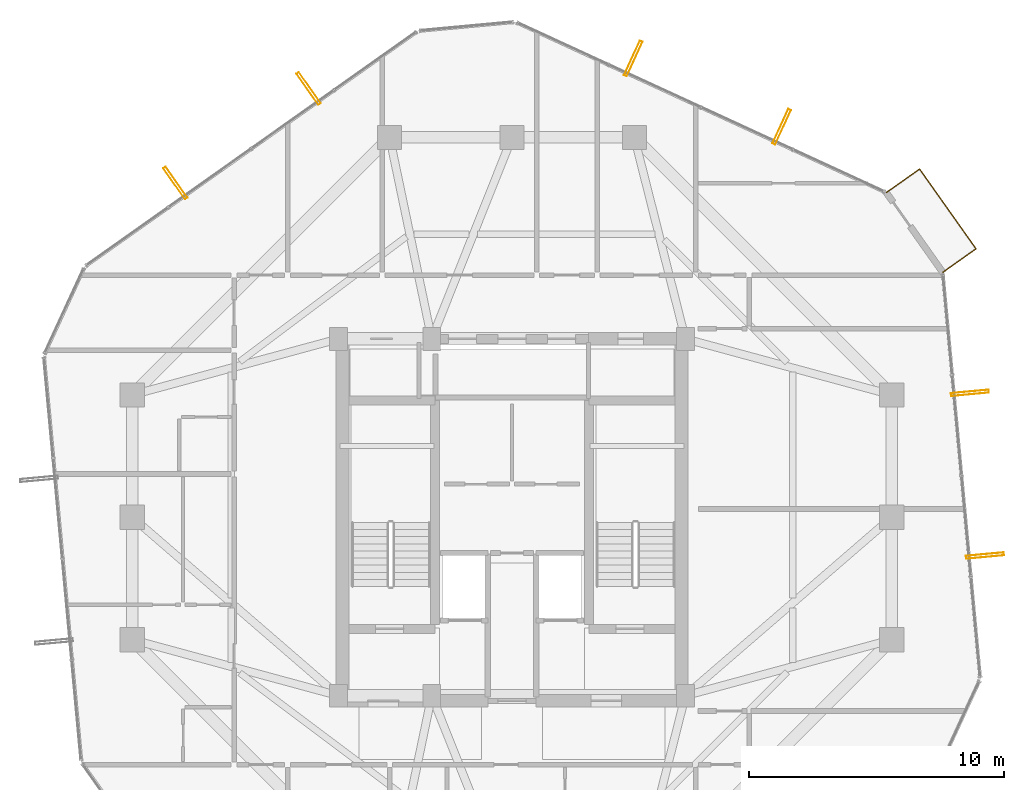
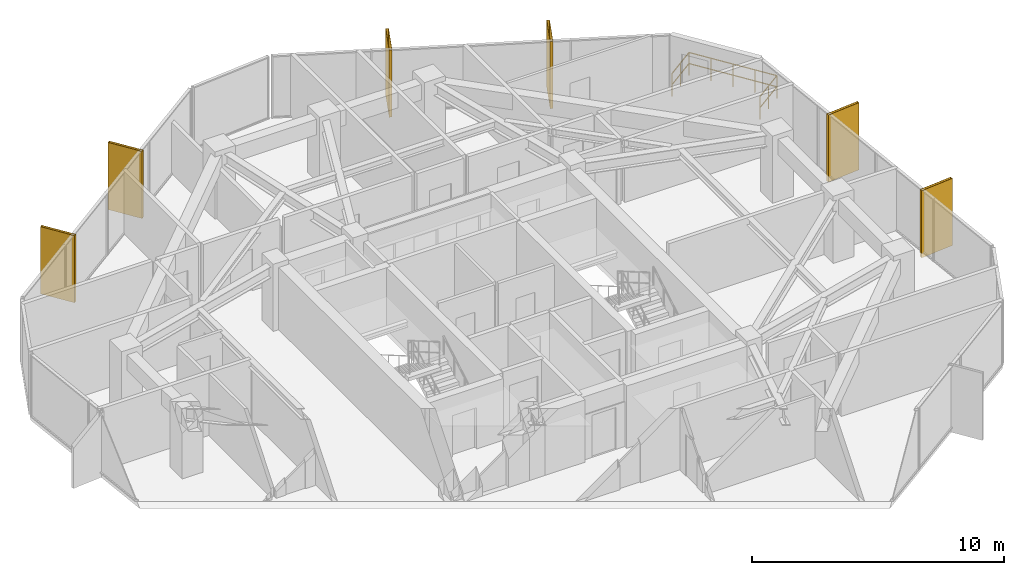
# One storey, part 32 of 32: 6 shading devices, 1 railing.
"""IFC4 building model written with IfcOpenShell, lengths in metres."""

from ifc_helpers import new_model, si_unit, direction, frame, origin, origin_2d, place, context, subcontext, project, spatial, hollow_rectangle, circle, extrude, material, material_profile, profile_set, type_object, element, save


model = new_model("IFC4")

# Units and contexts
model_context = context("Model", 3, precision=1e-05, world=origin(), true_north=direction((0.0, 1.0)))
body_context = subcontext(model_context, "Body", "Model", "MODEL_VIEW")
ifc_project = project(units=[si_unit("LENGTHUNIT", "METRE"), si_unit("AREAUNIT", "SQUARE_METRE"), si_unit("VOLUMEUNIT", "CUBIC_METRE"), si_unit("PLANEANGLEUNIT", "RADIAN"), si_unit("MASSUNIT", "GRAM", prefix="KILO")], contexts=[model_context])

# Site, building, storey
site_placement = place(None, origin())
site = spatial("IfcSite", under=ifc_project, at=site_placement, CompositionType="ELEMENT")
building_placement = place(site_placement, origin())
building = spatial("IfcBuilding", under=site, at=building_placement, Name="Veraguas Prism Commons", CompositionType="ELEMENT")
storey_placement = place(building_placement, frame((0.0, 0.0, 188.60009765625)))
storey = spatial("IfcBuildingStorey", under=building, at=storey_placement, Name="L53", CompositionType="ELEMENT", Elevation=188.60009765625)

# Shading devices
ifc_material_1 = material(Name="Anodised aluminium EN AW-6063 T6", Category="aluminium")
ifc_material_profile = material_profile(ifc_material_1, hollow_rectangle(XDim=0.1201171875, YDim=1.489990234375, WallThickness=0.006103515625, at=origin_2d()), Name="FIN120X1490X6")
ifc_profile_set = profile_set([ifc_material_profile], Name="Anodised aluminium EN AW-6063 T6")
shading_device_type = type_object("IfcShadingDeviceType", Name="Deep Pale-Metal Vertical Solar Fin 120x1490", PredefinedType="USERDEFINED", material=ifc_profile_set)
for number, where, z_axis, x_axis, name in (
    (1, (34.578369140625, 39.31494140625, -0.215087890625), (0.0, 0.0, 1.0), (-0.908360799311, 0.418187348296, 0.0), "Vertical Pale-Metal Solar Fin L53-F1A"),
    (2, (28.756591796875, 41.9951171875, -0.215087890625), (0.0, 0.0, 1.0), (-0.908360799311, 0.418187348296, 0.0), "Vertical Pale-Metal Solar Fin L53-F1B"),
    (3, (16.02587890625, 40.818603515625, -0.215087890625), (0.0, 0.0, 1.0), (-0.816339250717, -0.577572703422, 0.0), "Vertical Pale-Metal Solar Fin L53-F2A"),
    (4, (10.794189453125, 37.116943359375, -0.215087890625), (0.0, 0.0, 1.0), (-0.816339250717, -0.577572703422, 0.0), "Vertical Pale-Metal Solar Fin L53-F2B"),
    (5, (42.55224609375, 22.496337890625, -0.215087890625), (0.0, 0.0, 1.0), (-0.092021270414, 0.995757041548, 0.0), "Vertical Pale-Metal Solar Fin L53-F6A"),
    (6, (41.962646484375, 28.878173828125, -0.215087890625), (0.0, 0.0, 1.0), (-0.092021270414, 0.995757041548, 0.0), "Vertical Pale-Metal Solar Fin L53-F6B"),
):
    element("IfcShadingDevice", number, at=place(storey_placement, frame(where, z_axis=z_axis, x_axis=x_axis)), inside=storey, type_object=shading_device_type, Name=name, ObjectType="FIN", PredefinedType="USERDEFINED", context=body_context, shape_type="SweptSolid", body=[
        extrude(hollow_rectangle(XDim=0.1201171875, YDim=1.489990234375, WallThickness=0.006103515625, at=origin_2d()), origin(), (0.0, 0.0, 1.0), 3.25),
    ])

# Railing
ifc_material_2 = material(Name="Stainless steel AISI 316", Category="steel")
railing_type = type_object("IfcRailingType", Name="Loggia and Sky Pool Glazed Balustrade 1120", PredefinedType="BALUSTRADE", material=ifc_material_2)
railing_placement = place(storey_placement, frame((40.89794921875, 33.60693359375, 0.0)))
element("IfcRailing", 7, at=railing_placement, inside=storey, type_object=railing_type, Name="Recessed Corner Loggia L53-C1 Guard", PredefinedType="BALUSTRADE", context=body_context, shape_type="SweptSolid", body=[
    extrude(circle(Radius=0.02392578125, at=origin_2d()), frame((0.0, 0.0, 1.09619140625), z_axis=(0.816354223939, 0.57755153974, 0.0), x_axis=(-0.57755153974, 0.816354223939, 0.0)), (0.0, 0.0, 1.0), 1.60009765625),
    extrude(circle(Radius=0.02392578125, at=origin_2d()), frame((0.0, 0.0, 0.56005859375), z_axis=(0.816354223939, 0.57755153974, 0.0), x_axis=(-0.57755153974, 0.816354223939, 0.0)), (0.0, 0.0, 1.0), 1.60009765625),
    extrude(circle(Radius=0.02392578125, at=origin_2d()), frame((1.30615234375, 0.924072265625, 1.09619140625), z_axis=(-0.577612727089, 0.816310931879, 0.0), x_axis=(-0.816310931879, -0.577612727089, 0.0)), (0.0, 0.0, 1.0), 3.83447265625),
    extrude(circle(Radius=0.02392578125, at=origin_2d()), frame((1.30615234375, 0.924072265625, 0.56005859375), z_axis=(-0.577612727089, 0.816310931879, 0.0), x_axis=(-0.816310931879, -0.577612727089, 0.0)), (0.0, 0.0, 1.0), 3.83447265625),
    extrude(circle(Radius=0.02392578125, at=origin_2d()), frame((-0.90869140625, 4.05419921875, 1.09619140625), z_axis=(-0.816354223939, -0.57755153974, 0.0), x_axis=(0.57755153974, -0.816354223939, 0.0)), (0.0, 0.0, 1.0), 1.60009765625),
    extrude(circle(Radius=0.02392578125, at=origin_2d()), frame((-0.90869140625, 4.05419921875, 0.56005859375), z_axis=(-0.816354223939, -0.57755153974, 0.0), x_axis=(0.57755153974, -0.816354223939, 0.0)), (0.0, 0.0, 1.0), 1.60009765625),
    extrude(circle(Radius=0.02099609375, at=origin_2d()), origin(), (0.0, 0.0, 1.0), 1.072021484375),
    extrude(circle(Radius=0.02099609375, at=origin_2d()), frame((0.653076171875, 0.4619140625, 0.0)), (0.0, 0.0, 1.0), 1.072021484375),
    extrude(circle(Radius=0.02099609375, at=origin_2d()), frame((1.30615234375, 0.924072265625, 0.0)), (0.0, 0.0, 1.0), 1.072021484375),
    extrude(circle(Radius=0.02099609375, at=origin_2d()), frame((0.75244140625, 1.70654296875, 0.0)), (0.0, 0.0, 1.0), 1.072021484375),
    extrude(circle(Radius=0.02099609375, at=origin_2d()), frame((0.19873046875, 2.4892578125, 0.0)), (0.0, 0.0, 1.0), 1.072021484375),
    extrude(circle(Radius=0.02099609375, at=origin_2d()), frame((-0.35498046875, 3.271728515625, 0.0)), (0.0, 0.0, 1.0), 1.072021484375),
    extrude(circle(Radius=0.02099609375, at=origin_2d()), frame((-0.90869140625, 4.05419921875, 0.0)), (0.0, 0.0, 1.0), 1.072021484375),
    extrude(circle(Radius=0.02099609375, at=origin_2d()), frame((-1.561767578125, 3.59228515625, 0.0)), (0.0, 0.0, 1.0), 1.072021484375),
    extrude(circle(Radius=0.02099609375, at=origin_2d()), frame((-2.21484375, 3.130126953125, 0.0)), (0.0, 0.0, 1.0), 1.072021484375),
])

save(model, "model.ifc")
